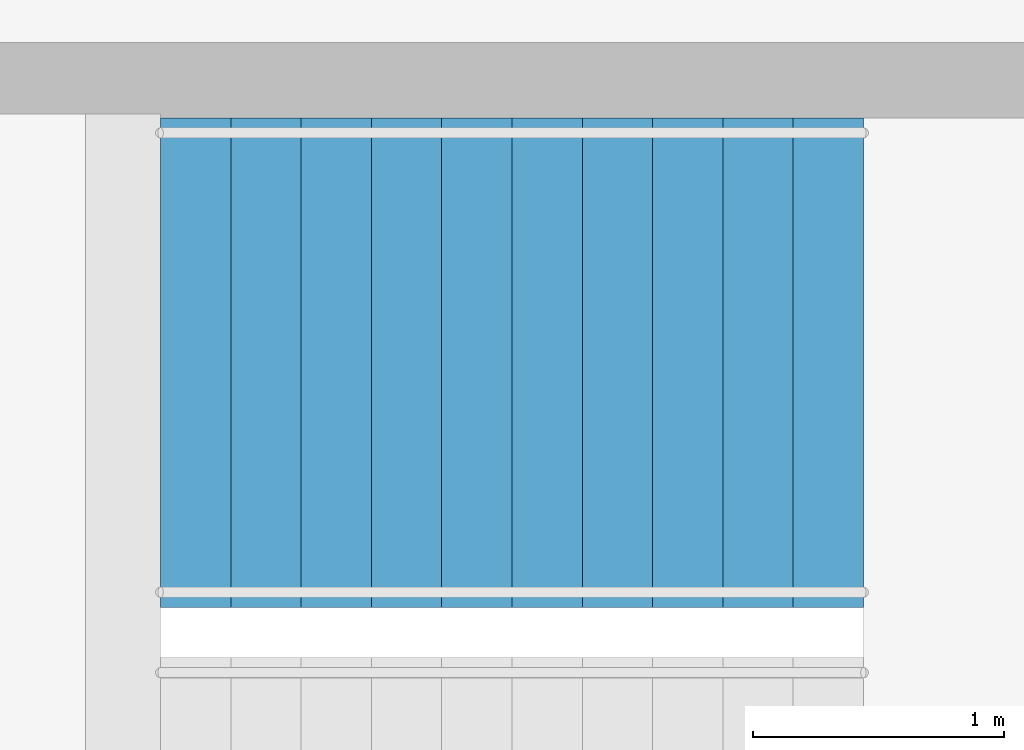
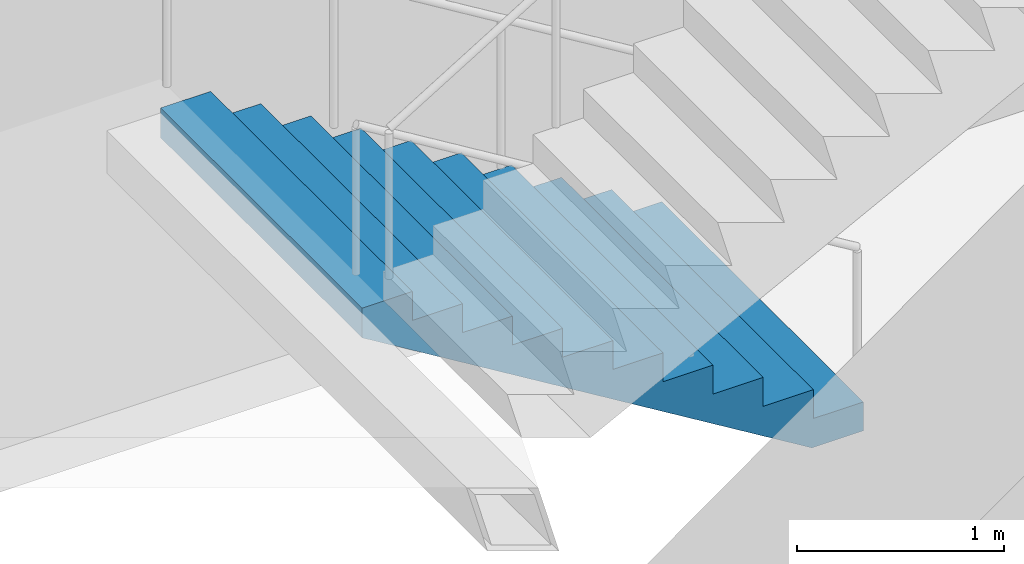
# One storey, part 22 of 23: 1 stair flight, 1 element without a shape of its own.
"""IFC4 building model written with IfcOpenShell, lengths in metres."""

from ifc_helpers import new_model, si_unit, direction, frame, origin, place, context, subcontext, project, spatial, triangles, material, type_object, element, aggregate, save


model = new_model("IFC4")

# Units and contexts
model_context = context("Model", 3, precision=1e-05, world=origin(), true_north=direction((0.0, 1.0)))
body_context = subcontext(model_context, "Body", "Model", "MODEL_VIEW")
ifc_project = project(units=[si_unit("LENGTHUNIT", "METRE"), si_unit("AREAUNIT", "SQUARE_METRE"), si_unit("VOLUMEUNIT", "CUBIC_METRE"), si_unit("PLANEANGLEUNIT", "RADIAN"), si_unit("MASSUNIT", "GRAM", prefix="KILO")], contexts=[model_context])

# Site, building, storey
site_placement = place(None, origin())
site = spatial("IfcSite", under=ifc_project, at=site_placement, CompositionType="ELEMENT")
building_placement = place(site_placement, origin())
building = spatial("IfcBuilding", under=site, at=building_placement, Name="Orbita Commons", CompositionType="ELEMENT")
storey_placement = place(building_placement, frame((0.0, 0.0, 224.050048828125)))
storey = spatial("IfcBuildingStorey", under=building, at=storey_placement, Name="L55", CompositionType="ELEMENT", Elevation=224.050048828125)

# Stair, stair flight
ifc_material_1 = material(Name="Precast concrete C40/50", Category="concrete")
stair_type = type_object("IfcStairType", Name="Exit stair S2 2 flights 11 risers 170", PredefinedType="HALF_TURN_STAIR", material=ifc_material_1)
stair_placement = place(storey_placement, origin())
stair = element("IfcStair", 1, at=stair_placement, inside=storey, type_object=stair_type, Name="Exit stair S2 L55", PredefinedType="HALF_TURN_STAIR")
ifc_material_2 = material(Name="Precast concrete C40/50", Category="concrete")
stair_flight_type = type_object("IfcStairFlightType", Name="Stair flight 11 risers 170 x 280", PredefinedType="STRAIGHT", material=ifc_material_2)
stair_flight_placement = place(storey_placement, frame((63.550048828125, 29.27490234375, 0.0), z_axis=(0.0, 0.0, 1.0), x_axis=(-1.0, 0.0, 0.0)))
stair_flight = element("IfcStairFlight", 2, at=stair_flight_placement, type_object=stair_flight_type, Name="S2 flight 1", NumberOfRisers=11, NumberOfTreads=10, PredefinedType="STRAIGHT", RiserHeight=0.170454545, TreadLength=0.28, context=body_context, shape_type="Tessellation", body=[
    triangles([(0.0, 0.974976, 0.0), (0.0, 0.974976, 0.021307), (0.0, 0.81248, 0.021307), (0.0, 0.81248, 0.0), (0.0, 0.649984, 0.021307), (0.0, 0.649984, 0.0), (0.0, 0.487488, 0.021307), (0.0, 0.487488, 0.0), (0.0, 0.324992, 0.021307), (0.0, 0.324992, 0.0), (0.0, 0.162496, 0.021307), (0.0, 0.162496, 0.0), (0.0, 0.0, 0.021307), (0.0, 0.0, 0.0), (0.0, -0.162496, 0.021307), (0.0, -0.162496, 0.0), (0.0, -0.324992, 0.021307), (0.0, -0.324992, 0.0), (0.0, -0.487488, 0.021307), (0.0, -0.487488, 0.0), (0.0, -0.649984, 0.021307), (0.0, -0.649984, 0.0), (0.0, -0.81248, 0.021307), (0.0, -0.81248, 0.0), (0.0, -0.974976, 0.021307), (0.0, -0.974976, 0.0), (0.0, 0.974976, 0.042614), (0.0, 0.81248, 0.042614), (0.0, 0.649984, 0.042614), (0.0, 0.487488, 0.042614), (0.0, 0.324992, 0.042614), (0.0, 0.162496, 0.042614), (0.0, 0.0, 0.042614), (0.0, -0.162496, 0.042614), (0.0, -0.324992, 0.042614), (0.0, -0.487488, 0.042614), (0.0, -0.649984, 0.042614), (0.0, -0.81248, 0.042614), (0.0, -0.974976, 0.042614), (0.0, 0.974976, 0.06392), (0.0, 0.81248, 0.06392), (0.0, 0.649984, 0.06392), (0.0, 0.487488, 0.06392), (0.0, 0.324992, 0.06392), (0.0, 0.162496, 0.06392), (0.0, 0.0, 0.06392), (0.0, -0.162496, 0.06392), (0.0, -0.324992, 0.06392), (0.0, -0.487488, 0.06392), (0.0, -0.649984, 0.06392), (0.0, -0.81248, 0.06392), (0.0, -0.974976, 0.06392), (0.0, 0.974976, 0.085227), (0.0, 0.81248, 0.085227), (0.0, 0.649984, 0.085227), (0.0, 0.487488, 0.085227), (0.0, 0.324992, 0.085227), (0.0, 0.162496, 0.085227), (0.0, 0.0, 0.085227), (0.0, -0.162496, 0.085227), (0.0, -0.324992, 0.085227), (0.0, -0.487488, 0.085227), (0.0, -0.649984, 0.085227), (0.0, -0.81248, 0.085227), (0.0, -0.974976, 0.085227), (0.0, 0.974976, 0.106534), (0.0, 0.81248, 0.106534), (0.0, 0.649984, 0.106534), (0.0, 0.487488, 0.106534), (0.0, 0.324992, 0.106534), (0.0, 0.162496, 0.106534), (0.0, 0.0, 0.106534), (0.0, -0.162496, 0.106534), (0.0, -0.324992, 0.106534), (0.0, -0.487488, 0.106534), (0.0, -0.649984, 0.106534), (0.0, -0.81248, 0.106534), (0.0, -0.974976, 0.106534), (0.0, 0.974976, 0.127841), (0.0, 0.81248, 0.127841), (0.0, 0.649984, 0.127841), (0.0, 0.487488, 0.127841), (0.0, 0.324992, 0.127841), (0.0, 0.162496, 0.127841), (0.0, 0.0, 0.127841), (0.0, -0.162496, 0.127841), (0.0, -0.324992, 0.127841), (0.0, -0.487488, 0.127841), (0.0, -0.649984, 0.127841), (0.0, -0.81248, 0.127841), (0.0, -0.974976, 0.127841), (0.0, 0.974976, 0.149148), (0.0, 0.81248, 0.149148), (0.0, 0.649984, 0.149148), (0.0, 0.487488, 0.149148), (0.0, 0.324992, 0.149148), (0.0, 0.162496, 0.149148), (0.0, 0.0, 0.149148), (0.0, -0.162496, 0.149148), (0.0, -0.324992, 0.149148), (0.0, -0.487488, 0.149148), (0.0, -0.649984, 0.149148), (0.0, -0.81248, 0.149148), (0.0, -0.974976, 0.149148), (0.0, 0.974976, 0.170455), (0.0, 0.81248, 0.170455), (0.0, 0.649984, 0.170455), (0.0, 0.487488, 0.170455), (0.0, 0.324992, 0.170455), (0.0, 0.162496, 0.170455), (0.0, 0.0, 0.170455), (0.0, -0.162496, 0.170455), (0.0, -0.324992, 0.170455), (0.0, -0.487488, 0.170455), (0.0, -0.649984, 0.170455), (0.0, -0.81248, 0.170455), (0.0, -0.974976, 0.170455), (0.28, 0.974976, 0.170455), (0.28, 0.81248, 0.170455), (0.28, 0.649984, 0.170455), (0.28, 0.487488, 0.170455), (0.28, 0.324992, 0.170455), (0.28, 0.162496, 0.170455), (0.28, 0.0, 0.170455), (0.28, -0.162496, 0.170455), (0.28, -0.324992, 0.170455), (0.28, -0.487488, 0.170455), (0.28, -0.649984, 0.170455), (0.28, -0.81248, 0.170455), (0.28, -0.974976, 0.170455), (0.28, 0.974976, 0.340909), (0.28, 0.81248, 0.340909), (0.28, 0.649984, 0.340909), (0.28, 0.487488, 0.340909), (0.28, 0.324992, 0.340909), (0.28, 0.162496, 0.340909), (0.28, 0.0, 0.340909), (0.28, -0.162496, 0.340909), (0.28, -0.324992, 0.340909), (0.28, -0.487488, 0.340909), (0.28, -0.649984, 0.340909), (0.28, -0.81248, 0.340909), (0.28, -0.974976, 0.340909), (0.56, 0.974976, 0.340909), (0.56, 0.81248, 0.340909), (0.56, 0.649984, 0.340909), (0.56, 0.487488, 0.340909), (0.56, 0.324992, 0.340909), (0.56, 0.162496, 0.340909), (0.56, 0.0, 0.340909), (0.56, -0.162496, 0.340909), (0.56, -0.324992, 0.340909), (0.56, -0.487488, 0.340909), (0.56, -0.649984, 0.340909), (0.56, -0.81248, 0.340909), (0.56, -0.974976, 0.340909), (0.56, 0.974976, 0.511364), (0.56, 0.81248, 0.511364), (0.56, 0.649984, 0.511364), (0.56, 0.487488, 0.511364), (0.56, 0.324992, 0.511364), (0.56, 0.162496, 0.511364), (0.56, 0.0, 0.511364), (0.56, -0.162496, 0.511364), (0.56, -0.324992, 0.511364), (0.56, -0.487488, 0.511364), (0.56, -0.649984, 0.511364), (0.56, -0.81248, 0.511364), (0.56, -0.974976, 0.511364), (0.84, 0.974976, 0.511364), (0.84, 0.81248, 0.511364), (0.84, 0.649984, 0.511364), (0.84, 0.487488, 0.511364), (0.84, 0.324992, 0.511364), (0.84, 0.162496, 0.511364), (0.84, 0.0, 0.511364), (0.84, -0.162496, 0.511364), (0.84, -0.324992, 0.511364), (0.84, -0.487488, 0.511364), (0.84, -0.649984, 0.511364), (0.84, -0.81248, 0.511364), (0.84, -0.974976, 0.511364), (0.84, 0.974976, 0.681818), (0.84, 0.81248, 0.681818), (0.84, 0.649984, 0.681818), (0.84, 0.487488, 0.681818), (0.84, 0.324992, 0.681818), (0.84, 0.162496, 0.681818), (0.84, 0.0, 0.681818), (0.84, -0.162496, 0.681818), (0.84, -0.324992, 0.681818), (0.84, -0.487488, 0.681818), (0.84, -0.649984, 0.681818), (0.84, -0.81248, 0.681818), (0.84, -0.974976, 0.681818), (1.12, 0.974976, 0.681818), (1.12, 0.81248, 0.681818), (1.12, 0.649984, 0.681818), (1.12, 0.487488, 0.681818), (1.12, 0.324992, 0.681818), (1.12, 0.162496, 0.681818), (1.12, 0.0, 0.681818), (1.12, -0.162496, 0.681818), (1.12, -0.324992, 0.681818), (1.12, -0.487488, 0.681818), (1.12, -0.649984, 0.681818), (1.12, -0.81248, 0.681818), (1.12, -0.974976, 0.681818), (1.12, 0.974976, 0.852273), (1.12, 0.81248, 0.852273), (1.12, 0.649984, 0.852273), (1.12, 0.487488, 0.852273), (1.12, 0.324992, 0.852273), (1.12, 0.162496, 0.852273), (1.12, 0.0, 0.852273), (1.12, -0.162496, 0.852273), (1.12, -0.324992, 0.852273), (1.12, -0.487488, 0.852273), (1.12, -0.649984, 0.852273), (1.12, -0.81248, 0.852273), (1.12, -0.974976, 0.852273), (1.4, 0.974976, 0.852273), (1.4, 0.81248, 0.852273), (1.4, 0.649984, 0.852273), (1.4, 0.487488, 0.852273), (1.4, 0.324992, 0.852273), (1.4, 0.162496, 0.852273), (1.4, 0.0, 0.852273), (1.4, -0.162496, 0.852273), (1.4, -0.324992, 0.852273), (1.4, -0.487488, 0.852273), (1.4, -0.649984, 0.852273), (1.4, -0.81248, 0.852273), (1.4, -0.974976, 0.852273), (1.4, 0.974976, 1.022727), (1.4, 0.81248, 1.022727), (1.4, 0.649984, 1.022727), (1.4, 0.487488, 1.022727), (1.4, 0.324992, 1.022727), (1.4, 0.162496, 1.022727), (1.4, 0.0, 1.022727), (1.4, -0.162496, 1.022727), (1.4, -0.324992, 1.022727), (1.4, -0.487488, 1.022727), (1.4, -0.649984, 1.022727), (1.4, -0.81248, 1.022727), (1.4, -0.974976, 1.022727), (1.68, 0.974976, 1.022727), (1.68, 0.81248, 1.022727), (1.68, 0.649984, 1.022727), (1.68, 0.487488, 1.022727), (1.68, 0.324992, 1.022727), (1.68, 0.162496, 1.022727), (1.68, 0.0, 1.022727), (1.68, -0.162496, 1.022727), (1.68, -0.324992, 1.022727), (1.68, -0.487488, 1.022727), (1.68, -0.649984, 1.022727), (1.68, -0.81248, 1.022727), (1.68, -0.974976, 1.022727), (1.68, 0.974976, 1.193182), (1.68, 0.81248, 1.193182), (1.68, 0.649984, 1.193182), (1.68, 0.487488, 1.193182), (1.68, 0.324992, 1.193182), (1.68, 0.162496, 1.193182), (1.68, 0.0, 1.193182), (1.68, -0.162496, 1.193182), (1.68, -0.324992, 1.193182), (1.68, -0.487488, 1.193182), (1.68, -0.649984, 1.193182), (1.68, -0.81248, 1.193182), (1.68, -0.974976, 1.193182), (1.96, 0.974976, 1.193182), (1.96, 0.81248, 1.193182), (1.96, 0.649984, 1.193182), (1.96, 0.487488, 1.193182), (1.96, 0.324992, 1.193182), (1.96, 0.162496, 1.193182), (1.96, 0.0, 1.193182), (1.96, -0.162496, 1.193182), (1.96, -0.324992, 1.193182), (1.96, -0.487488, 1.193182), (1.96, -0.649984, 1.193182), (1.96, -0.81248, 1.193182), (1.96, -0.974976, 1.193182), (1.96, 0.974976, 1.363636), (1.96, 0.81248, 1.363636), (1.96, 0.649984, 1.363636), (1.96, 0.487488, 1.363636), (1.96, 0.324992, 1.363636), (1.96, 0.162496, 1.363636), (1.96, 0.0, 1.363636), (1.96, -0.162496, 1.363636), (1.96, -0.324992, 1.363636), (1.96, -0.487488, 1.363636), (1.96, -0.649984, 1.363636), (1.96, -0.81248, 1.363636), (1.96, -0.974976, 1.363636), (2.24, 0.974976, 1.363636), (2.24, 0.81248, 1.363636), (2.24, 0.649984, 1.363636), (2.24, 0.487488, 1.363636), (2.24, 0.324992, 1.363636), (2.24, 0.162496, 1.363636), (2.24, 0.0, 1.363636), (2.24, -0.162496, 1.363636), (2.24, -0.324992, 1.363636), (2.24, -0.487488, 1.363636), (2.24, -0.649984, 1.363636), (2.24, -0.81248, 1.363636), (2.24, -0.974976, 1.363636), (2.24, 0.974976, 1.534091), (2.24, 0.81248, 1.534091), (2.24, 0.649984, 1.534091), (2.24, 0.487488, 1.534091), (2.24, 0.324992, 1.534091), (2.24, 0.162496, 1.534091), (2.24, 0.0, 1.534091), (2.24, -0.162496, 1.534091), (2.24, -0.324992, 1.534091), (2.24, -0.487488, 1.534091), (2.24, -0.649984, 1.534091), (2.24, -0.81248, 1.534091), (2.24, -0.974976, 1.534091), (2.52, 0.974976, 1.534091), (2.52, 0.81248, 1.534091), (2.52, 0.649984, 1.534091), (2.52, 0.487488, 1.534091), (2.52, 0.324992, 1.534091), (2.52, 0.162496, 1.534091), (2.52, 0.0, 1.534091), (2.52, -0.162496, 1.534091), (2.52, -0.324992, 1.534091), (2.52, -0.487488, 1.534091), (2.52, -0.649984, 1.534091), (2.52, -0.81248, 1.534091), (2.52, -0.974976, 1.534091), (2.52, 0.974976, 1.704545), (2.52, 0.81248, 1.704545), (2.52, 0.649984, 1.704545), (2.52, 0.487488, 1.704545), (2.52, 0.324992, 1.704545), (2.52, 0.162496, 1.704545), (2.52, 0.0, 1.704545), (2.52, -0.162496, 1.704545), (2.52, -0.324992, 1.704545), (2.52, -0.487488, 1.704545), (2.52, -0.649984, 1.704545), (2.52, -0.81248, 1.704545), (2.52, -0.974976, 1.704545), (2.8, 0.974976, 1.704545), (2.8, 0.81248, 1.704545), (2.8, 0.649984, 1.704545), (2.8, 0.487488, 1.704545), (2.8, 0.324992, 1.704545), (2.8, 0.162496, 1.704545), (2.8, 0.0, 1.704545), (2.8, -0.162496, 1.704545), (2.8, -0.324992, 1.704545), (2.8, -0.487488, 1.704545), (2.8, -0.649984, 1.704545), (2.8, -0.81248, 1.704545), (2.8, -0.974976, 1.704545), (2.8, 0.974976, 1.682609), (2.8, 0.81248, 1.682609), (2.8, 0.649984, 1.682609), (2.8, 0.487488, 1.682609), (2.8, 0.324992, 1.682609), (2.8, 0.162496, 1.682609), (2.8, 0.0, 1.682609), (2.8, -0.162496, 1.682609), (2.8, -0.324992, 1.682609), (2.8, -0.487488, 1.682609), (2.8, -0.649984, 1.682609), (2.8, -0.81248, 1.682609), (2.8, -0.974976, 1.682609), (2.8, 0.974976, 1.660672), (2.8, 0.81248, 1.660672), (2.8, 0.649984, 1.660672), (2.8, 0.487488, 1.660672), (2.8, 0.324992, 1.660672), (2.8, 0.162496, 1.660672), (2.8, 0.0, 1.660672), (2.8, -0.162496, 1.660672), (2.8, -0.324992, 1.660672), (2.8, -0.487488, 1.660672), (2.8, -0.649984, 1.660672), (2.8, -0.81248, 1.660672), (2.8, -0.974976, 1.660672), (2.8, 0.974976, 1.638735), (2.8, 0.81248, 1.638735), (2.8, 0.649984, 1.638735), (2.8, 0.487488, 1.638735), (2.8, 0.324992, 1.638735), (2.8, 0.162496, 1.638735), (2.8, 0.0, 1.638735), (2.8, -0.162496, 1.638735), (2.8, -0.324992, 1.638735), (2.8, -0.487488, 1.638735), (2.8, -0.649984, 1.638735), (2.8, -0.81248, 1.638735), (2.8, -0.974976, 1.638735), (2.8, 0.974976, 1.616798), (2.8, 0.81248, 1.616798), (2.8, 0.649984, 1.616798), (2.8, 0.487488, 1.616798), (2.8, 0.324992, 1.616798), (2.8, 0.162496, 1.616798), (2.8, 0.0, 1.616798), (2.8, -0.162496, 1.616798), (2.8, -0.324992, 1.616798), (2.8, -0.487488, 1.616798), (2.8, -0.649984, 1.616798), (2.8, -0.81248, 1.616798), (2.8, -0.974976, 1.616798), (2.8, 0.974976, 1.594861), (2.8, 0.81248, 1.594861), (2.8, 0.649984, 1.594861), (2.8, 0.487488, 1.594861), (2.8, 0.324992, 1.594861), (2.8, 0.162496, 1.594861), (2.8, 0.0, 1.594861), (2.8, -0.162496, 1.594861), (2.8, -0.324992, 1.594861), (2.8, -0.487488, 1.594861), (2.8, -0.649984, 1.594861), (2.8, -0.81248, 1.594861), (2.8, -0.974976, 1.594861), (2.8, 0.974976, 1.572925), (2.8, 0.81248, 1.572925), (2.8, 0.649984, 1.572925), (2.8, 0.487488, 1.572925), (2.8, 0.324992, 1.572925), (2.8, 0.162496, 1.572925), (2.8, 0.0, 1.572925), (2.8, -0.162496, 1.572925), (2.8, -0.324992, 1.572925), (2.8, -0.487488, 1.572925), (2.8, -0.649984, 1.572925), (2.8, -0.81248, 1.572925), (2.8, -0.974976, 1.572925), (2.8, 0.974976, 1.550988), (2.8, 0.81248, 1.550988), (2.8, 0.649984, 1.550988), (2.8, 0.487488, 1.550988), (2.8, 0.324992, 1.550988), (2.8, 0.162496, 1.550988), (2.8, 0.0, 1.550988), (2.8, -0.162496, 1.550988), (2.8, -0.324992, 1.550988), (2.8, -0.487488, 1.550988), (2.8, -0.649984, 1.550988), (2.8, -0.81248, 1.550988), (2.8, -0.974976, 1.550988), (2.8, 0.974976, 1.529051), (2.8, 0.81248, 1.529051), (2.8, 0.649984, 1.529051), (2.8, 0.487488, 1.529051), (2.8, 0.324992, 1.529051), (2.8, 0.162496, 1.529051), (2.8, 0.0, 1.529051), (2.8, -0.162496, 1.529051), (2.8, -0.324992, 1.529051), (2.8, -0.487488, 1.529051), (2.8, -0.649984, 1.529051), (2.8, -0.81248, 1.529051), (2.8, -0.974976, 1.529051), (0.288279, 0.974976, 0.0), (0.288279, 0.81248, 0.0), (0.288279, 0.649984, 0.0), (0.288279, 0.487488, 0.0), (0.288279, 0.324992, 0.0), (0.288279, 0.162496, 0.0), (0.288279, 0.0, 0.0), (0.288279, -0.162496, 0.0), (0.288279, -0.324992, 0.0), (0.288279, -0.487488, 0.0), (0.288279, -0.649984, 0.0), (0.288279, -0.81248, 0.0), (0.288279, -0.974976, 0.0)], [[3, 2, 1], [4, 3, 1], [5, 3, 4], [6, 5, 4], [7, 5, 6], [8, 7, 6], [9, 7, 8], [10, 9, 8], [11, 9, 10], [12, 11, 10], [13, 11, 12], [14, 13, 12], [15, 13, 14], [16, 15, 14], [17, 15, 16], [18, 17, 16], [19, 17, 18], [20, 19, 18], [21, 19, 20], [22, 21, 20], [23, 21, 22], [24, 23, 22], [25, 23, 24], [26, 25, 24], [28, 27, 2], [3, 28, 2], [29, 28, 3], [5, 29, 3], [30, 29, 5], [7, 30, 5], [31, 30, 7], [9, 31, 7], [32, 31, 9], [11, 32, 9], [33, 32, 11], [13, 33, 11], [34, 33, 13], [15, 34, 13], [35, 34, 15], [17, 35, 15], [36, 35, 17], [19, 36, 17], [37, 36, 19], [21, 37, 19], [38, 37, 21], [23, 38, 21], [39, 38, 23], [25, 39, 23], [41, 40, 27], [28, 41, 27], [42, 41, 28], [29, 42, 28], [43, 42, 29], [30, 43, 29], [44, 43, 30], [31, 44, 30], [45, 44, 31], [32, 45, 31], [46, 45, 32], [33, 46, 32], [47, 46, 33], [34, 47, 33], [48, 47, 34], [35, 48, 34], [49, 48, 35], [36, 49, 35], [50, 49, 36], [37, 50, 36], [51, 50, 37], [38, 51, 37], [52, 51, 38], [39, 52, 38], [54, 53, 40], [41, 54, 40], [55, 54, 41], [42, 55, 41], [56, 55, 42], [43, 56, 42], [57, 56, 43], [44, 57, 43], [58, 57, 44], [45, 58, 44], [59, 58, 45], [46, 59, 45], [60, 59, 46], [47, 60, 46], [61, 60, 47], [48, 61, 47], [62, 61, 48], [49, 62, 48], [63, 62, 49], [50, 63, 49], [64, 63, 50], [51, 64, 50], [65, 64, 51], [52, 65, 51], [67, 66, 53], [54, 67, 53], [68, 67, 54], [55, 68, 54], [69, 68, 55], [56, 69, 55], [70, 69, 56], [57, 70, 56], [71, 70, 57], [58, 71, 57], [72, 71, 58], [59, 72, 58], [73, 72, 59], [60, 73, 59], [74, 73, 60], [61, 74, 60], [75, 74, 61], [62, 75, 61], [76, 75, 62], [63, 76, 62], [77, 76, 63], [64, 77, 63], [78, 77, 64], [65, 78, 64], [80, 79, 66], [67, 80, 66], [81, 80, 67], [68, 81, 67], [82, 81, 68], [69, 82, 68], [83, 82, 69], [70, 83, 69], [84, 83, 70], [71, 84, 70], [85, 84, 71], [72, 85, 71], [86, 85, 72], [73, 86, 72], [87, 86, 73], [74, 87, 73], [88, 87, 74], [75, 88, 74], [89, 88, 75], [76, 89, 75], [90, 89, 76], [77, 90, 76], [91, 90, 77], [78, 91, 77], [93, 92, 79], [80, 93, 79], [94, 93, 80], [81, 94, 80], [95, 94, 81], [82, 95, 81], [96, 95, 82], [83, 96, 82], [97, 96, 83], [84, 97, 83], [98, 97, 84], [85, 98, 84], [99, 98, 85], [86, 99, 85], [100, 99, 86], [87, 100, 86], [101, 100, 87], [88, 101, 87], [102, 101, 88], [89, 102, 88], [103, 102, 89], [90, 103, 89], [104, 103, 90], [91, 104, 90], [106, 105, 92], [93, 106, 92], [107, 106, 93], [94, 107, 93], [108, 107, 94], [95, 108, 94], [109, 108, 95], [96, 109, 95], [110, 109, 96], [97, 110, 96], [111, 110, 97], [98, 111, 97], [112, 111, 98], [99, 112, 98], [113, 112, 99], [100, 113, 99], [114, 113, 100], [101, 114, 100], [115, 114, 101], [102, 115, 101], [116, 115, 102], [103, 116, 102], [117, 116, 103], [104, 117, 103], [119, 118, 105], [106, 119, 105], [120, 119, 106], [107, 120, 106], [121, 120, 107], [108, 121, 107], [122, 121, 108], [109, 122, 108], [123, 122, 109], [110, 123, 109], [124, 123, 110], [111, 124, 110], [125, 124, 111], [112, 125, 111], [126, 125, 112], [113, 126, 112], [127, 126, 113], [114, 127, 113], [128, 127, 114], [115, 128, 114], [129, 128, 115], [116, 129, 115], [130, 129, 116], [117, 130, 116], [132, 131, 118], [119, 132, 118], [133, 132, 119], [120, 133, 119], [134, 133, 120], [121, 134, 120], [135, 134, 121], [122, 135, 121], [136, 135, 122], [123, 136, 122], [137, 136, 123], [124, 137, 123], [138, 137, 124], [125, 138, 124], [139, 138, 125], [126, 139, 125], [140, 139, 126], [127, 140, 126], [141, 140, 127], [128, 141, 127], [142, 141, 128], [129, 142, 128], [143, 142, 129], [130, 143, 129], [145, 144, 131], [132, 145, 131], [146, 145, 132], [133, 146, 132], [147, 146, 133], [134, 147, 133], [148, 147, 134], [135, 148, 134], [149, 148, 135], [136, 149, 135], [150, 149, 136], [137, 150, 136], [151, 150, 137], [138, 151, 137], [152, 151, 138], [139, 152, 138], [153, 152, 139], [140, 153, 139], [154, 153, 140], [141, 154, 140], [155, 154, 141], [142, 155, 141], [156, 155, 142], [143, 156, 142], [158, 157, 144], [145, 158, 144], [159, 158, 145], [146, 159, 145], [160, 159, 146], [147, 160, 146], [161, 160, 147], [148, 161, 147], [162, 161, 148], [149, 162, 148], [163, 162, 149], [150, 163, 149], [164, 163, 150], [151, 164, 150], [165, 164, 151], [152, 165, 151], [166, 165, 152], [153, 166, 152], [167, 166, 153], [154, 167, 153], [168, 167, 154], [155, 168, 154], [169, 168, 155], [156, 169, 155], [171, 170, 157], [158, 171, 157], [172, 171, 158], [159, 172, 158], [173, 172, 159], [160, 173, 159], [174, 173, 160], [161, 174, 160], [175, 174, 161], [162, 175, 161], [176, 175, 162], [163, 176, 162], [177, 176, 163], [164, 177, 163], [178, 177, 164], [165, 178, 164], [179, 178, 165], [166, 179, 165], [180, 179, 166], [167, 180, 166], [181, 180, 167], [168, 181, 167], [182, 181, 168], [169, 182, 168], [184, 183, 170], [171, 184, 170], [185, 184, 171], [172, 185, 171], [186, 185, 172], [173, 186, 172], [187, 186, 173], [174, 187, 173], [188, 187, 174], [175, 188, 174], [189, 188, 175], [176, 189, 175], [190, 189, 176], [177, 190, 176], [191, 190, 177], [178, 191, 177], [192, 191, 178], [179, 192, 178], [193, 192, 179], [180, 193, 179], [194, 193, 180], [181, 194, 180], [195, 194, 181], [182, 195, 181], [197, 196, 183], [184, 197, 183], [198, 197, 184], [185, 198, 184], [199, 198, 185], [186, 199, 185], [200, 199, 186], [187, 200, 186], [201, 200, 187], [188, 201, 187], [202, 201, 188], [189, 202, 188], [203, 202, 189], [190, 203, 189], [204, 203, 190], [191, 204, 190], [205, 204, 191], [192, 205, 191], [206, 205, 192], [193, 206, 192], [207, 206, 193], [194, 207, 193], [208, 207, 194], [195, 208, 194], [210, 209, 196], [197, 210, 196], [211, 210, 197], [198, 211, 197], [212, 211, 198], [199, 212, 198], [213, 212, 199], [200, 213, 199], [214, 213, 200], [201, 214, 200], [215, 214, 201], [202, 215, 201], [216, 215, 202], [203, 216, 202], [217, 216, 203], [204, 217, 203], [218, 217, 204], [205, 218, 204], [219, 218, 205], [206, 219, 205], [220, 219, 206], [207, 220, 206], [221, 220, 207], [208, 221, 207], [223, 222, 209], [210, 223, 209], [224, 223, 210], [211, 224, 210], [225, 224, 211], [212, 225, 211], [226, 225, 212], [213, 226, 212], [227, 226, 213], [214, 227, 213], [228, 227, 214], [215, 228, 214], [229, 228, 215], [216, 229, 215], [230, 229, 216], [217, 230, 216], [231, 230, 217], [218, 231, 217], [232, 231, 218], [219, 232, 218], [233, 232, 219], [220, 233, 219], [234, 233, 220], [221, 234, 220], [236, 235, 222], [223, 236, 222], [237, 236, 223], [224, 237, 223], [238, 237, 224], [225, 238, 224], [239, 238, 225], [226, 239, 225], [240, 239, 226], [227, 240, 226], [241, 240, 227], [228, 241, 227], [242, 241, 228], [229, 242, 228], [243, 242, 229], [230, 243, 229], [244, 243, 230], [231, 244, 230], [245, 244, 231], [232, 245, 231], [246, 245, 232], [233, 246, 232], [247, 246, 233], [234, 247, 233], [249, 248, 235], [236, 249, 235], [250, 249, 236], [237, 250, 236], [251, 250, 237], [238, 251, 237], [252, 251, 238], [239, 252, 238], [253, 252, 239], [240, 253, 239], [254, 253, 240], [241, 254, 240], [255, 254, 241], [242, 255, 241], [256, 255, 242], [243, 256, 242], [257, 256, 243], [244, 257, 243], [258, 257, 244], [245, 258, 244], [259, 258, 245], [246, 259, 245], [260, 259, 246], [247, 260, 246], [262, 261, 248], [249, 262, 248], [263, 262, 249], [250, 263, 249], [264, 263, 250], [251, 264, 250], [265, 264, 251], [252, 265, 251], [266, 265, 252], [253, 266, 252], [267, 266, 253], [254, 267, 253], [268, 267, 254], [255, 268, 254], [269, 268, 255], [256, 269, 255], [270, 269, 256], [257, 270, 256], [271, 270, 257], [258, 271, 257], [272, 271, 258], [259, 272, 258], [273, 272, 259], [260, 273, 259], [275, 274, 261], [262, 275, 261], [276, 275, 262], [263, 276, 262], [277, 276, 263], [264, 277, 263], [278, 277, 264], [265, 278, 264], [279, 278, 265], [266, 279, 265], [280, 279, 266], [267, 280, 266], [281, 280, 267], [268, 281, 267], [282, 281, 268], [269, 282, 268], [283, 282, 269], [270, 283, 269], [284, 283, 270], [271, 284, 270], [285, 284, 271], [272, 285, 271], [286, 285, 272], [273, 286, 272], [288, 287, 274], [275, 288, 274], [289, 288, 275], [276, 289, 275], [290, 289, 276], [277, 290, 276], [291, 290, 277], [278, 291, 277], [292, 291, 278], [279, 292, 278], [293, 292, 279], [280, 293, 279], [294, 293, 280], [281, 294, 280], [295, 294, 281], [282, 295, 281], [296, 295, 282], [283, 296, 282], [297, 296, 283], [284, 297, 283], [298, 297, 284], [285, 298, 284], [299, 298, 285], [286, 299, 285], [301, 300, 287], [288, 301, 287], [302, 301, 288], [289, 302, 288], [303, 302, 289], [290, 303, 289], [304, 303, 290], [291, 304, 290], [305, 304, 291], [292, 305, 291], [306, 305, 292], [293, 306, 292], [307, 306, 293], [294, 307, 293], [308, 307, 294], [295, 308, 294], [309, 308, 295], [296, 309, 295], [310, 309, 296], [297, 310, 296], [311, 310, 297], [298, 311, 297], [312, 311, 298], [299, 312, 298], [314, 313, 300], [301, 314, 300], [315, 314, 301], [302, 315, 301], [316, 315, 302], [303, 316, 302], [317, 316, 303], [304, 317, 303], [318, 317, 304], [305, 318, 304], [319, 318, 305], [306, 319, 305], [320, 319, 306], [307, 320, 306], [321, 320, 307], [308, 321, 307], [322, 321, 308], [309, 322, 308], [323, 322, 309], [310, 323, 309], [324, 323, 310], [311, 324, 310], [325, 324, 311], [312, 325, 311], [327, 326, 313], [314, 327, 313], [328, 327, 314], [315, 328, 314], [329, 328, 315], [316, 329, 315], [330, 329, 316], [317, 330, 316], [331, 330, 317], [318, 331, 317], [332, 331, 318], [319, 332, 318], [333, 332, 319], [320, 333, 319], [334, 333, 320], [321, 334, 320], [335, 334, 321], [322, 335, 321], [336, 335, 322], [323, 336, 322], [337, 336, 323], [324, 337, 323], [338, 337, 324], [325, 338, 324], [340, 339, 326], [327, 340, 326], [341, 340, 327], [328, 341, 327], [342, 341, 328], [329, 342, 328], [343, 342, 329], [330, 343, 329], [344, 343, 330], [331, 344, 330], [345, 344, 331], [332, 345, 331], [346, 345, 332], [333, 346, 332], [347, 346, 333], [334, 347, 333], [348, 347, 334], [335, 348, 334], [349, 348, 335], [336, 349, 335], [350, 349, 336], [337, 350, 336], [351, 350, 337], [338, 351, 337], [353, 352, 339], [340, 353, 339], [354, 353, 340], [341, 354, 340], [355, 354, 341], [342, 355, 341], [356, 355, 342], [343, 356, 342], [357, 356, 343], [344, 357, 343], [358, 357, 344], [345, 358, 344], [359, 358, 345], [346, 359, 345], [360, 359, 346], [347, 360, 346], [361, 360, 347], [348, 361, 347], [362, 361, 348], [349, 362, 348], [363, 362, 349], [350, 363, 349], [364, 363, 350], [351, 364, 350], [366, 365, 352], [353, 366, 352], [367, 366, 353], [354, 367, 353], [368, 367, 354], [355, 368, 354], [369, 368, 355], [356, 369, 355], [370, 369, 356], [357, 370, 356], [371, 370, 357], [358, 371, 357], [372, 371, 358], [359, 372, 358], [373, 372, 359], [360, 373, 359], [374, 373, 360], [361, 374, 360], [375, 374, 361], [362, 375, 361], [376, 375, 362], [363, 376, 362], [377, 376, 363], [364, 377, 363], [379, 378, 365], [366, 379, 365], [380, 379, 366], [367, 380, 366], [381, 380, 367], [368, 381, 367], [382, 381, 368], [369, 382, 368], [383, 382, 369], [370, 383, 369], [384, 383, 370], [371, 384, 370], [385, 384, 371], [372, 385, 371], [386, 385, 372], [373, 386, 372], [387, 386, 373], [374, 387, 373], [388, 387, 374], [375, 388, 374], [389, 388, 375], [376, 389, 375], [390, 389, 376], [377, 390, 376], [392, 391, 378], [379, 392, 378], [393, 392, 379], [380, 393, 379], [394, 393, 380], [381, 394, 380], [395, 394, 381], [382, 395, 381], [396, 395, 382], [383, 396, 382], [397, 396, 383], [384, 397, 383], [398, 397, 384], [385, 398, 384], [399, 398, 385], [386, 399, 385], [400, 399, 386], [387, 400, 386], [401, 400, 387], [388, 401, 387], [402, 401, 388], [389, 402, 388], [403, 402, 389], [390, 403, 389], [405, 404, 391], [392, 405, 391], [406, 405, 392], [393, 406, 392], [407, 406, 393], [394, 407, 393], [408, 407, 394], [395, 408, 394], [409, 408, 395], [396, 409, 395], [410, 409, 396], [397, 410, 396], [411, 410, 397], [398, 411, 397], [412, 411, 398], [399, 412, 398], [413, 412, 399], [400, 413, 399], [414, 413, 400], [401, 414, 400], [415, 414, 401], [402, 415, 401], [416, 415, 402], [403, 416, 402], [418, 417, 404], [405, 418, 404], [419, 418, 405], [406, 419, 405], [420, 419, 406], [407, 420, 406], [421, 420, 407], [408, 421, 407], [422, 421, 408], [409, 422, 408], [423, 422, 409], [410, 423, 409], [424, 423, 410], [411, 424, 410], [425, 424, 411], [412, 425, 411], [426, 425, 412], [413, 426, 412], [427, 426, 413], [414, 427, 413], [428, 427, 414], [415, 428, 414], [429, 428, 415], [416, 429, 415], [431, 430, 417], [418, 431, 417], [432, 431, 418], [419, 432, 418], [433, 432, 419], [420, 433, 419], [434, 433, 420], [421, 434, 420], [435, 434, 421], [422, 435, 421], [436, 435, 422], [423, 436, 422], [437, 436, 423], [424, 437, 423], [438, 437, 424], [425, 438, 424], [439, 438, 425], [426, 439, 425], [440, 439, 426], [427, 440, 426], [441, 440, 427], [428, 441, 427], [442, 441, 428], [429, 442, 428], [444, 443, 430], [431, 444, 430], [445, 444, 431], [432, 445, 431], [446, 445, 432], [433, 446, 432], [447, 446, 433], [434, 447, 433], [448, 447, 434], [435, 448, 434], [449, 448, 435], [436, 449, 435], [450, 449, 436], [437, 450, 436], [451, 450, 437], [438, 451, 437], [452, 451, 438], [439, 452, 438], [453, 452, 439], [440, 453, 439], [454, 453, 440], [441, 454, 440], [455, 454, 441], [442, 455, 441], [457, 456, 443], [444, 457, 443], [458, 457, 444], [445, 458, 444], [459, 458, 445], [446, 459, 445], [460, 459, 446], [447, 460, 446], [461, 460, 447], [448, 461, 447], [462, 461, 448], [449, 462, 448], [463, 462, 449], [450, 463, 449], [464, 463, 450], [451, 464, 450], [465, 464, 451], [452, 465, 451], [466, 465, 452], [453, 466, 452], [467, 466, 453], [454, 467, 453], [468, 467, 454], [455, 468, 454], [470, 469, 456], [457, 470, 456], [471, 470, 457], [458, 471, 457], [472, 471, 458], [459, 472, 458], [473, 472, 459], [460, 473, 459], [474, 473, 460], [461, 474, 460], [475, 474, 461], [462, 475, 461], [476, 475, 462], [463, 476, 462], [477, 476, 463], [464, 477, 463], [478, 477, 464], [465, 478, 464], [479, 478, 465], [466, 479, 465], [480, 479, 466], [467, 480, 466], [481, 480, 467], [468, 481, 467], [4, 1, 469], [470, 4, 469], [6, 4, 470], [471, 6, 470], [8, 6, 471], [472, 8, 471], [10, 8, 472], [473, 10, 472], [12, 10, 473], [474, 12, 473], [14, 12, 474], [475, 14, 474], [16, 14, 475], [476, 16, 475], [18, 16, 476], [477, 18, 476], [20, 18, 477], [478, 20, 477], [22, 20, 478], [479, 22, 478], [24, 22, 479], [480, 24, 479], [26, 24, 480], [481, 26, 480], [456, 469, 1], [26, 481, 468], [443, 456, 1], [26, 468, 455], [430, 443, 1], [26, 455, 442], [417, 430, 1], [26, 442, 429], [404, 417, 1], [26, 429, 416], [391, 404, 1], [26, 416, 403], [378, 391, 1], [26, 403, 390], [365, 378, 1], [26, 390, 377], [339, 352, 365], [377, 364, 351], [326, 339, 365], [377, 351, 338], [300, 313, 326], [338, 325, 312], [300, 326, 365], [377, 338, 312], [274, 287, 300], [312, 299, 286], [274, 300, 365], [377, 312, 286], [248, 261, 274], [286, 273, 260], [248, 274, 365], [377, 286, 260], [222, 235, 248], [260, 247, 234], [222, 248, 365], [377, 260, 234], [196, 209, 222], [234, 221, 208], [196, 222, 365], [377, 234, 208], [170, 183, 196], [208, 195, 182], [170, 196, 365], [377, 208, 182], [144, 157, 170], [182, 169, 156], [144, 170, 365], [377, 182, 156], [118, 131, 144], [156, 143, 130], [118, 144, 365], [377, 156, 130], [118, 365, 1], [26, 377, 130], [92, 105, 118], [130, 117, 104], [79, 92, 118], [130, 104, 91], [66, 79, 118], [130, 91, 78], [53, 66, 118], [130, 78, 65], [40, 53, 118], [130, 65, 52], [27, 40, 118], [130, 52, 39], [2, 27, 118], [130, 39, 25], [1, 2, 118], [130, 25, 26]], closed=True),
])
aggregate(stair, [stair_flight])

save(model, "model.ifc")
